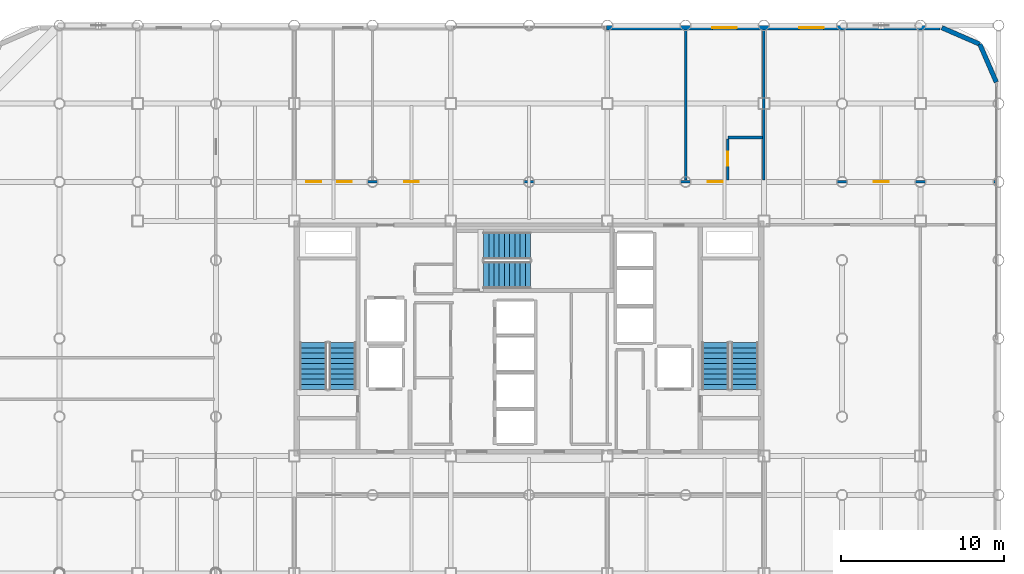
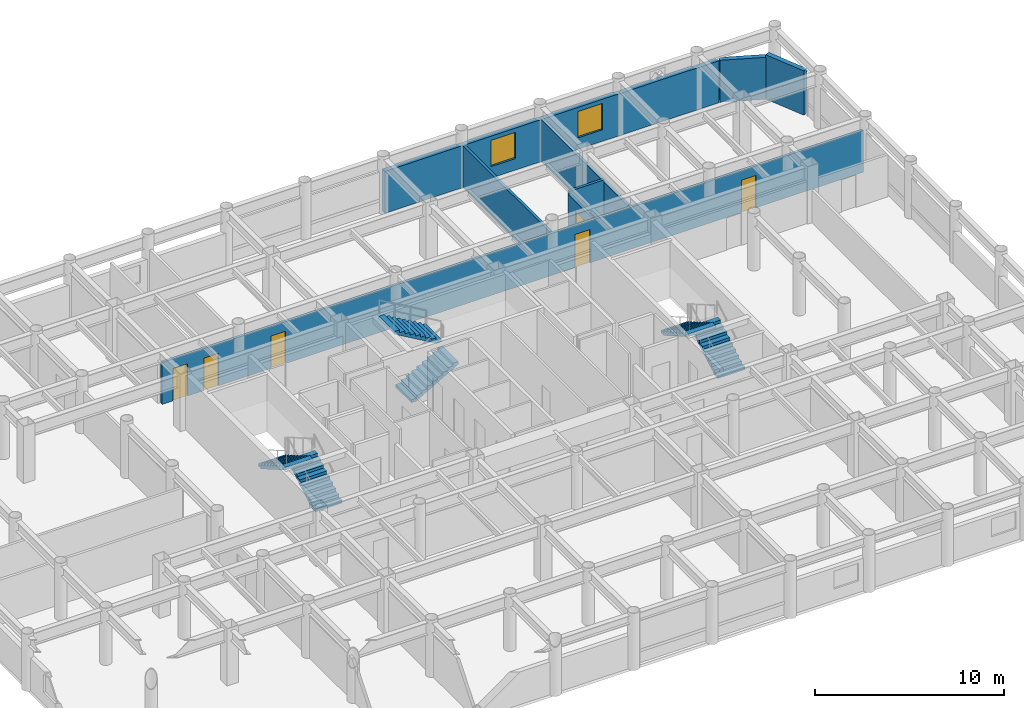
# One storey, part 18 of 19: 8 walls, 6 doors, 6 stair flights, 2 windows, 8 openings, 3 elements without a shape of their own.
"""IFC4 building model written with IfcOpenShell, lengths in metres."""

from ifc_helpers import new_model, si_unit, direction, frame, frame_2d, origin, place, context, subcontext, project, spatial, polyline, rectangle, outline, extrude, material, layer, layer_set, type_object, element, fill, aggregate, save


model = new_model("IFC4")

# Units and contexts
model_context = context("Model", 3, precision=1e-05, world=origin(), true_north=direction((0.0, 1.0)))
body_context = subcontext(model_context, "Body", "Model", "MODEL_VIEW")
ifc_project = project(units=[si_unit("LENGTHUNIT", "METRE"), si_unit("AREAUNIT", "SQUARE_METRE"), si_unit("VOLUMEUNIT", "CUBIC_METRE"), si_unit("PLANEANGLEUNIT", "RADIAN"), si_unit("MASSUNIT", "GRAM", prefix="KILO")], contexts=[model_context])

# Site, building, storey
site_placement = place(None, origin())
site = spatial("IfcSite", under=ifc_project, at=site_placement, CompositionType="ELEMENT")
building_placement = place(site_placement, origin())
building = spatial("IfcBuilding", under=site, at=building_placement, Name="Kallvorn Hotel Tower", CompositionType="ELEMENT")
storey_placement = place(building_placement, frame((0.0, 0.0, 165.5)))
storey = spatial("IfcBuildingStorey", under=building, at=storey_placement, Name="L41", CompositionType="ELEMENT", Elevation=165.5)

# Wall, openings, doors
ifc_material_1 = material(Name="Fire-rated double-layer acoustic gypsum drywall EI 60")
ifc_layer_1 = layer(ifc_material_1, 0.159912109375)
ifc_layer_set_1 = layer_set([ifc_layer_1], Name="WL_DEMISE_160")
wall_type_1 = type_object("IfcWallType", Name="WL_DEMISE_160", PredefinedType="PARTITIONING", material=ifc_layer_set_1)
wall_1_placement = place(storey_placement, frame((-14.320068359375, 9.60009765625, 0.0), z_axis=(0.0, 0.0, 1.0), x_axis=(1.0, 0.0, 0.0)))
wall_1 = element("IfcWall", 1, at=wall_1_placement, inside=storey, type_object=wall_type_1, Name="L41 Suite 4101 Standard King Room Partition", PredefinedType="PARTITIONING", context=body_context, shape_type="SweptSolid", body=[
    extrude(rectangle(XDim=42.949951171875, YDim=0.159912109375, at=frame_2d((21.47509765625, 0.0))), origin(), (0.0, 0.0, 1.0), 2.719970703125),
])
opening_1_placement = place(wall_1_placement, frame((35.469970703125, 0.0, 0.0)))
opening_1 = element("IfcOpeningElement", 2, at=opening_1_placement, cuts=wall_1, Name="Opening SVD1", PredefinedType="OPENING", context=body_context, shape_type="SweptSolid", body=[
    extrude(rectangle(XDim=0.89990234375, YDim=2.10009765625, at=frame_2d((0.449951171875, 1.050048828125))), frame((0.0, 0.094970703125, 0.0), z_axis=(0.0, -1.0, 0.0), x_axis=(1.0, 0.0, 0.0)), (0.0, 0.0, 1.0), 0.18994140625),
])
opening_2_placement = place(wall_1_placement, frame((0.669921875, 0.0, 0.0)))
opening_2 = element("IfcOpeningElement", 3, at=opening_2_placement, cuts=wall_1, Name="Opening SVD1", PredefinedType="OPENING", context=body_context, shape_type="SweptSolid", body=[
    extrude(rectangle(XDim=0.89990234375, YDim=2.10009765625, at=frame_2d((0.449951171875, 1.050048828125))), frame((0.0, 0.094970703125, 0.0), z_axis=(0.0, -1.0, 0.0), x_axis=(1.0, 0.0, 0.0)), (0.0, 0.0, 1.0), 0.18994140625),
])
opening_3_placement = place(wall_1_placement, frame((2.56005859375, 0.0, 0.0)))
opening_3 = element("IfcOpeningElement", 4, at=opening_3_placement, cuts=wall_1, Name="Opening SVD1", PredefinedType="OPENING", context=body_context, shape_type="SweptSolid", body=[
    extrude(rectangle(XDim=0.89990234375, YDim=2.10009765625, at=frame_2d((0.449951171875, 1.050048828125))), frame((0.0, 0.094970703125, 0.0), z_axis=(0.0, -1.0, 0.0), x_axis=(1.0, 0.0, 0.0)), (0.0, 0.0, 1.0), 0.18994140625),
])
opening_4_placement = place(wall_1_placement, frame((6.669921875, 0.0, 0.0)))
opening_4 = element("IfcOpeningElement", 5, at=opening_4_placement, cuts=wall_1, Name="Opening SVD1", PredefinedType="OPENING", context=body_context, shape_type="SweptSolid", body=[
    extrude(rectangle(XDim=0.89990234375, YDim=2.10009765625, at=frame_2d((0.449951171875, 1.050048828125))), frame((0.0, 0.094970703125, 0.0), z_axis=(0.0, -1.0, 0.0), x_axis=(1.0, 0.0, 0.0)), (0.0, 0.0, 1.0), 0.18994140625),
])
opening_5_placement = place(wall_1_placement, frame((25.2900390625, 0.0, 0.0)))
opening_5 = element("IfcOpeningElement", 6, at=opening_5_placement, cuts=wall_1, Name="Opening GD1", PredefinedType="OPENING", context=body_context, shape_type="SweptSolid", body=[
    extrude(rectangle(XDim=0.919921875, YDim=2.14990234375, at=frame_2d((0.4599609375, 1.074951171875))), frame((0.0, 0.094970703125, 0.0), z_axis=(0.0, -1.0, 0.0), x_axis=(1.0, 0.0, 0.0)), (0.0, 0.0, 1.0), 0.18994140625),
])
ifc_material_2 = material(Name="Solid-core walnut veneer fire-rated timber door leaf", Category="wood")
door_type_1 = type_object("IfcDoorType", Name="DR_GUEST_920x2150", OperationType="NOTDEFINED", PredefinedType="DOOR", material=ifc_material_2)
door_1_placement = place(opening_5_placement, origin())
door_1 = element("IfcDoor", 7, at=door_1_placement, inside=storey, type_object=door_type_1, Name="L41 Suite 4101 Standard King Room Door", OperationType="SINGLE_SWING_LEFT", OverallHeight=2.14990234375, OverallWidth=0.919921875, PredefinedType="DOOR", context=body_context, shape_type="SweptSolid", body=[
    extrude(rectangle(XDim=0.919921875, YDim=2.14990234375, at=frame_2d((0.4599609375, 1.074951171875))), frame((0.0, 0.02490234375, 0.0), z_axis=(0.0, -1.0, 0.0), x_axis=(1.0, 0.0, 0.0)), (0.0, 0.0, 1.0), 0.050048828125),
])
fill(opening_5, door_1)
ifc_material_3 = material(Name="Galvanised painted steel fire-rated door assembly", Category="steel")
door_type_2 = type_object("IfcDoorType", Name="DR_SERV_900x2100", OperationType="NOTDEFINED", PredefinedType="DOOR", material=ifc_material_3)
door_2_placement = place(opening_1_placement, origin())
door_2 = element("IfcDoor", 8, at=door_2_placement, inside=storey, type_object=door_type_2, Name="L41 L41 North-East Monserrate Banquet Hall Door", OperationType="SINGLE_SWING_RIGHT", OverallHeight=2.10009765625, OverallWidth=0.89990234375, PredefinedType="DOOR", context=body_context, shape_type="SweptSolid", body=[
    extrude(rectangle(XDim=0.89990234375, YDim=2.10009765625, at=frame_2d((0.449951171875, 1.050048828125))), frame((0.0, 0.02490234375, 0.0), z_axis=(0.0, -1.0, 0.0), x_axis=(1.0, 0.0, 0.0)), (0.0, 0.0, 1.0), 0.050048828125),
])
fill(opening_1, door_2)
door_3_placement = place(opening_2_placement, origin())
door_3 = element("IfcDoor", 9, at=door_3_placement, inside=storey, type_object=door_type_2, Name="L41 Housekeeping and Linen Room Door", OperationType="SINGLE_SWING_LEFT", OverallHeight=2.10009765625, OverallWidth=0.89990234375, PredefinedType="DOOR", context=body_context, shape_type="SweptSolid", body=[
    extrude(rectangle(XDim=0.89990234375, YDim=2.10009765625, at=frame_2d((0.449951171875, 1.050048828125))), frame((0.0, 0.02490234375, 0.0), z_axis=(0.0, -1.0, 0.0), x_axis=(1.0, 0.0, 0.0)), (0.0, 0.0, 1.0), 0.050048828125),
])
fill(opening_2, door_3)
door_4_placement = place(opening_3_placement, origin())
door_4 = element("IfcDoor", 10, at=door_4_placement, inside=storey, type_object=door_type_2, Name="L41 Guest Tea and Refreshment Bar Door", OperationType="SINGLE_SWING_RIGHT", OverallHeight=2.10009765625, OverallWidth=0.89990234375, PredefinedType="DOOR", context=body_context, shape_type="SweptSolid", body=[
    extrude(rectangle(XDim=0.89990234375, YDim=2.10009765625, at=frame_2d((0.449951171875, 1.050048828125))), frame((0.0, 0.02490234375, 0.0), z_axis=(0.0, -1.0, 0.0), x_axis=(1.0, 0.0, 0.0)), (0.0, 0.0, 1.0), 0.050048828125),
])
fill(opening_3, door_4)
door_5_placement = place(opening_4_placement, origin())
door_5 = element("IfcDoor", 11, at=door_5_placement, inside=storey, type_object=door_type_2, Name="L41 L41 Altitude Wellness Fitness Gymnasium 2 Door", OperationType="SINGLE_SWING_RIGHT", OverallHeight=2.10009765625, OverallWidth=0.89990234375, PredefinedType="DOOR", context=body_context, shape_type="SweptSolid", body=[
    extrude(rectangle(XDim=0.89990234375, YDim=2.10009765625, at=frame_2d((0.449951171875, 1.050048828125))), frame((0.0, 0.02490234375, 0.0), z_axis=(0.0, -1.0, 0.0), x_axis=(1.0, 0.0, 0.0)), (0.0, 0.0, 1.0), 0.050048828125),
])
fill(opening_4, door_5)

# Walls
wall_2_placement = place(storey_placement, frame((12.18994140625, 12.320068359375, 0.0), z_axis=(0.0, 0.0, 1.0), x_axis=(1.0, 0.0, 0.0)))
element("IfcWall", 12, at=wall_2_placement, inside=storey, type_object=wall_type_1, Name="L41 Suite 4101 Standard King Room Partition", PredefinedType="PARTITIONING", context=body_context, shape_type="SweptSolid", body=[
    extrude(rectangle(XDim=2.130126953125, YDim=0.159912109375, at=frame_2d((1.06494140625, 0.0))), origin(), (0.0, 0.0, 1.0), 2.8701171875),
])
wall_3_placement = place(storey_placement, frame((9.60009765625, 9.719970703125, 0.0), z_axis=(0.0, 0.0, 1.0), x_axis=(0.0, 1.0, 0.0)))
element("IfcWall", 13, at=wall_3_placement, inside=storey, type_object=wall_type_1, Name="L41 Suite 4101 Standard King Room Partition", PredefinedType="PARTITIONING", context=body_context, shape_type="SweptSolid", body=[
    extrude(rectangle(XDim=9.18994140625, YDim=0.159912109375, at=frame_2d((4.594970703125, 0.0))), origin(), (0.0, 0.0, 1.0), 2.719970703125),
])

# Wall, opening, door
wall_4_placement = place(storey_placement, frame((12.18994140625, 9.719970703125, 0.0), z_axis=(0.0, 0.0, 1.0), x_axis=(0.0, 1.0, 0.0)))
wall_4 = element("IfcWall", 14, at=wall_4_placement, inside=storey, type_object=wall_type_1, Name="L41 Suite 4101 Standard King Room Partition", PredefinedType="PARTITIONING", context=body_context, shape_type="SweptSolid", body=[
    extrude(rectangle(XDim=2.51513671875, YDim=0.159912109375, at=frame_2d((1.257568359375, 0.0))), origin(), (0.0, 0.0, 1.0), 2.719970703125),
])
opening_6_placement = place(wall_4_placement, frame((0.8701171875, 0.0, 0.0)))
opening_6 = element("IfcOpeningElement", 15, at=opening_6_placement, cuts=wall_4, Name="Opening BD-I", PredefinedType="OPENING", context=body_context, shape_type="SweptSolid", body=[
    extrude(rectangle(XDim=0.860107421875, YDim=2.10009765625, at=frame_2d((0.43017578125, 1.050048828125))), frame((0.0, 0.094970703125, 0.0), z_axis=(0.0, -1.0, 0.0), x_axis=(1.0, 0.0, 0.0)), (0.0, 0.0, 1.0), 0.18994140625),
])
ifc_material_4 = material(Name="Solid-core walnut veneer fire-rated timber door leaf", Category="wood")
door_type_3 = type_object("IfcDoorType", Name="DR_BATH_860x2100", OperationType="NOTDEFINED", PredefinedType="DOOR", material=ifc_material_4)
door_6_placement = place(opening_6_placement, origin())
door_6 = element("IfcDoor", 16, at=door_6_placement, inside=storey, type_object=door_type_3, Name="L41 Suite 4101 En-Suite Bathroom Door", OperationType="SINGLE_SWING_LEFT", OverallHeight=2.10009765625, OverallWidth=0.860107421875, PredefinedType="DOOR", context=body_context, shape_type="SweptSolid", body=[
    extrude(rectangle(XDim=0.860107421875, YDim=2.10009765625, at=frame_2d((0.43017578125, 1.050048828125))), frame((0.0, 0.02490234375, 0.0), z_axis=(0.0, -1.0, 0.0), x_axis=(1.0, 0.0, 0.0)), (0.0, 0.0, 1.0), 0.050048828125),
])
fill(opening_6, door_6)

# Walls
wall_5_placement = place(storey_placement, frame((14.39990234375, 9.719970703125, 0.0), z_axis=(0.0, 0.0, 1.0), x_axis=(0.0, 1.0, 0.0)))
element("IfcWall", 17, at=wall_5_placement, inside=storey, type_object=wall_type_1, Name="L41 Suite 4101 Standard King Room Partition", PredefinedType="PARTITIONING", context=body_context, shape_type="SweptSolid", body=[
    extrude(rectangle(XDim=9.18994140625, YDim=0.159912109375, at=frame_2d((4.594970703125, 0.0))), origin(), (0.0, 0.0, 1.0), 2.719970703125),
])
ifc_material_5 = material(Name="Precast basalt-clad insulated concrete wall C40/50", Category="masonry")
ifc_layer_2 = layer(ifc_material_5, 0.280029296875)
ifc_layer_set_2 = layer_set([ifc_layer_2], Name="WL_EXT_LOGGIA_280")
wall_type_2 = type_object("IfcWallType", Name="WL_EXT_LOGGIA_280", PredefinedType="SOLIDWALL", material=ifc_layer_set_2)
wall_6_placement = place(storey_placement, frame((28.657958984375, 15.720703125, 0.0), z_axis=(0.0, 0.0, 1.0), x_axis=(-0.398792985289, 0.917040977756, 0.0)))
element("IfcWall", 18, at=wall_6_placement, inside=storey, type_object=wall_type_2, Name="L41 Rounded Corner Exterior Wall NE1", PredefinedType="SOLIDWALL", context=body_context, shape_type="SweptSolid", body=[
    extrude(rectangle(XDim=2.536376953125, YDim=0.280029296875, at=frame_2d((1.26806640625, 0.0))), origin(), (0.0, 0.0, 1.0), 2.8701171875),
])
wall_7_placement = place(storey_placement, frame((27.646484375, 18.046630859375, 0.0), z_axis=(0.0, 0.0, 1.0), x_axis=(-0.917060872934, 0.398747232384, 0.0)))
element("IfcWall", 19, at=wall_7_placement, inside=storey, type_object=wall_type_2, Name="L41 Rounded Corner Exterior Wall NE2", PredefinedType="SOLIDWALL", context=body_context, shape_type="SweptSolid", body=[
    extrude(rectangle(XDim=2.5361328125, YDim=0.280029296875, at=frame_2d((1.26806640625, 0.0))), origin(), (0.0, 0.0, 1.0), 2.719970703125),
])

# Wall, openings, windows
wall_8_placement = place(storey_placement, frame((4.75, 19.06005859375, 0.0), z_axis=(0.0, 0.0, 1.0), x_axis=(1.0, 0.0, 0.0)))
wall_8 = element("IfcWall", 20, at=wall_8_placement, inside=storey, type_object=wall_type_2, Name="L41 Exterior Envelope Wall EW-L41-NE", PredefinedType="SOLIDWALL", context=body_context, shape_type="SweptSolid", body=[
    extrude(rectangle(XDim=20.449951171875, YDim=0.280029296875, at=frame_2d((10.22509765625, 0.0))), origin(), (0.0, 0.0, 1.0), 2.719970703125),
])
opening_7_placement = place(wall_8_placement, frame((11.81689453125, 0.0, 0.75)))
opening_7 = element("IfcOpeningElement", 21, at=opening_7_placement, cuts=wall_8, Name="Opening W05", PredefinedType="OPENING", context=body_context, shape_type="SweptSolid", body=[
    extrude(rectangle(XDim=1.5, YDim=1.699951171875, at=frame_2d((0.75, 0.85009765625))), frame((0.0, 0.155029296875, 0.0), z_axis=(0.0, -1.0, 0.0), x_axis=(1.0, 0.0, 0.0)), (0.0, 0.0, 1.0), 0.31005859375),
])
opening_8_placement = place(wall_8_placement, frame((6.5, 0.0, 0.75)))
opening_8 = element("IfcOpeningElement", 22, at=opening_8_placement, cuts=wall_8, Name="Opening W05", PredefinedType="OPENING", context=body_context, shape_type="SweptSolid", body=[
    extrude(rectangle(XDim=1.5, YDim=1.699951171875, at=frame_2d((0.75, 0.85009765625))), frame((0.0, 0.155029296875, 0.0), z_axis=(0.0, -1.0, 0.0), x_axis=(1.0, 0.0, 0.0)), (0.0, 0.0, 1.0), 0.31005859375),
])
ifc_material_6 = material(Name="Double-glazed low-e solar-control dark glass", Category="glass")
window_type = type_object("IfcWindowType", Name="WN_HTL_1500x1700", PartitioningType="SINGLE_PANEL", PredefinedType="WINDOW", material=ifc_material_6)
window_1_placement = place(opening_7_placement, origin())
window_1 = element("IfcWindow", 23, at=window_1_placement, inside=storey, type_object=window_type, Name="L41 Guestroom Exterior Window 04", OverallHeight=1.699951171875, OverallWidth=1.5, PartitioningType="SINGLE_PANEL", PredefinedType="WINDOW", context=body_context, shape_type="SweptSolid", body=[
    extrude(rectangle(XDim=1.5, YDim=1.699951171875, at=frame_2d((0.75, 0.85009765625))), frame((0.0, 0.030029296875, 0.0), z_axis=(0.0, -1.0, 0.0), x_axis=(1.0, 0.0, 0.0)), (0.0, 0.0, 1.0), 0.06005859375),
])
fill(opening_7, window_1)
window_2_placement = place(opening_8_placement, origin())
window_2 = element("IfcWindow", 24, at=window_2_placement, inside=storey, type_object=window_type, Name="L41 Guestroom Exterior Window 08", OverallHeight=1.699951171875, OverallWidth=1.5, PartitioningType="SINGLE_PANEL", PredefinedType="WINDOW", context=body_context, shape_type="SweptSolid", body=[
    extrude(rectangle(XDim=1.5, YDim=1.699951171875, at=frame_2d((0.75, 0.85009765625))), frame((0.0, 0.030029296875, 0.0), z_axis=(0.0, -1.0, 0.0), x_axis=(1.0, 0.0, 0.0)), (0.0, 0.0, 1.0), 0.06005859375),
])
fill(opening_8, window_2)

# Stair, stair flights
ifc_material_7 = material(Name="Precast concrete C40/50", Category="concrete")
stair_type = type_object("IfcStairType", Name="STR_CORE_DOGLEG", PredefinedType="HALF_TURN_STAIR", material=ifc_material_7)
stair_1_placement = place(storey_placement, origin())
stair_1 = element("IfcStair", 25, at=stair_1_placement, inside=storey, type_object=stair_type, Name="L41 Exit stair ST1", PredefinedType="HALF_TURN_STAIR")
ifc_material_8 = material(Name="Precast concrete C40/50", Category="concrete")
stair_flight_type = type_object("IfcStairFlightType", Name="FLT_CORE_1660", PredefinedType="STRAIGHT", material=ifc_material_8)
stair_flight_1_placement = place(storey_placement, frame((-11.429931640625, -3.139892578125, 0.0), z_axis=(0.0, 0.0, 1.0), x_axis=(0.0, 1.0, 0.0)))
stair_flight_1 = element("IfcStairFlight", 26, at=stair_flight_1_placement, type_object=stair_flight_type, Name="ST1 flight 1", NumberOfRisers=10, NumberOfTreads=9, PredefinedType="STRAIGHT", RiserHeight=0.185, TreadLength=0.32, context=body_context, shape_type="SweptSolid", body=[
    extrude(outline(polyline([(0.0, 0.0), (0.0, 0.18505859375), (0.320068359375, 0.18505859375), (0.320068359375, 0.3701171875), (0.639892578125, 0.3701171875), (0.639892578125, 0.554931640625), (0.9599609375, 0.554931640625), (0.9599609375, 0.739990234375), (1.280029296875, 0.739990234375), (1.280029296875, 0.925048828125), (1.60009765625, 0.925048828125), (1.60009765625, 1.110107421875), (1.919921875, 1.110107421875), (1.919921875, 1.294921875), (2.239990234375, 1.294921875), (2.239990234375, 1.47998046875), (2.56005859375, 1.47998046875), (2.56005859375, 1.6650390625), (2.8798828125, 1.6650390625), (2.8798828125, 1.85009765625), (2.8798828125, 1.491943359375), (0.299560546875, 0.0), (0.0, 0.0)])), frame((0.0, 0.830078125, 0.0), z_axis=(0.0, -1.0, 0.0), x_axis=(1.0, 0.0, 0.0)), (0.0, 0.0, 1.0), 1.659912109375),
])
stair_flight_2_placement = place(storey_placement, frame((-13.22998046875, -0.260009765625, 1.85009765625), z_axis=(0.0, 0.0, 1.0), x_axis=(0.0, -1.0, 0.0)))
stair_flight_2 = element("IfcStairFlight", 27, at=stair_flight_2_placement, type_object=stair_flight_type, Name="ST1 flight 2", NumberOfRisers=10, NumberOfTreads=9, PredefinedType="STRAIGHT", RiserHeight=0.185, TreadLength=0.32, context=body_context, shape_type="SweptSolid", body=[
    extrude(outline(polyline([(0.0, 0.0), (0.0, 0.18505859375), (0.320068359375, 0.18505859375), (0.320068359375, 0.3701171875), (0.639892578125, 0.3701171875), (0.639892578125, 0.554931640625), (0.9599609375, 0.554931640625), (0.9599609375, 0.739990234375), (1.280029296875, 0.739990234375), (1.280029296875, 0.925048828125), (1.60009765625, 0.925048828125), (1.60009765625, 1.110107421875), (1.919921875, 1.110107421875), (1.919921875, 1.294921875), (2.239990234375, 1.294921875), (2.239990234375, 1.47998046875), (2.56005859375, 1.47998046875), (2.56005859375, 1.6650390625), (2.8798828125, 1.6650390625), (2.8798828125, 1.85009765625), (2.8798828125, 1.491943359375), (0.299560546875, 0.0), (0.0, 0.0)])), frame((0.0, 0.830078125, 0.0), z_axis=(0.0, -1.0, 0.0), x_axis=(1.0, 0.0, 0.0)), (0.0, 0.0, 1.0), 1.659912109375),
])
aggregate(stair_1, [stair_flight_1, stair_flight_2])

stair_2_placement = place(storey_placement, origin())
stair_2 = element("IfcStair", 28, at=stair_2_placement, inside=storey, type_object=stair_type, Name="L41 Exit stair ST2", PredefinedType="HALF_TURN_STAIR")
stair_flight_3_placement = place(storey_placement, frame((13.22998046875, -3.139892578125, 0.0), z_axis=(0.0, 0.0, 1.0), x_axis=(0.0, 1.0, 0.0)))
stair_flight_3 = element("IfcStairFlight", 29, at=stair_flight_3_placement, type_object=stair_flight_type, Name="ST2 flight 1", NumberOfRisers=10, NumberOfTreads=9, PredefinedType="STRAIGHT", RiserHeight=0.185, TreadLength=0.32, context=body_context, shape_type="SweptSolid", body=[
    extrude(outline(polyline([(0.0, 0.0), (0.0, 0.18505859375), (0.320068359375, 0.18505859375), (0.320068359375, 0.3701171875), (0.639892578125, 0.3701171875), (0.639892578125, 0.554931640625), (0.9599609375, 0.554931640625), (0.9599609375, 0.739990234375), (1.280029296875, 0.739990234375), (1.280029296875, 0.925048828125), (1.60009765625, 0.925048828125), (1.60009765625, 1.110107421875), (1.919921875, 1.110107421875), (1.919921875, 1.294921875), (2.239990234375, 1.294921875), (2.239990234375, 1.47998046875), (2.56005859375, 1.47998046875), (2.56005859375, 1.6650390625), (2.8798828125, 1.6650390625), (2.8798828125, 1.85009765625), (2.8798828125, 1.491943359375), (0.299560546875, 0.0), (0.0, 0.0)])), frame((0.0, 0.830078125, 0.0), z_axis=(0.0, -1.0, 0.0), x_axis=(1.0, 0.0, 0.0)), (0.0, 0.0, 1.0), 1.659912109375),
])
stair_flight_4_placement = place(storey_placement, frame((11.429931640625, -0.260009765625, 1.85009765625), z_axis=(0.0, 0.0, 1.0), x_axis=(0.0, -1.0, 0.0)))
stair_flight_4 = element("IfcStairFlight", 30, at=stair_flight_4_placement, type_object=stair_flight_type, Name="ST2 flight 2", NumberOfRisers=10, NumberOfTreads=9, PredefinedType="STRAIGHT", RiserHeight=0.185, TreadLength=0.32, context=body_context, shape_type="SweptSolid", body=[
    extrude(outline(polyline([(0.0, 0.0), (0.0, 0.18505859375), (0.320068359375, 0.18505859375), (0.320068359375, 0.3701171875), (0.639892578125, 0.3701171875), (0.639892578125, 0.554931640625), (0.9599609375, 0.554931640625), (0.9599609375, 0.739990234375), (1.280029296875, 0.739990234375), (1.280029296875, 0.925048828125), (1.60009765625, 0.925048828125), (1.60009765625, 1.110107421875), (1.919921875, 1.110107421875), (1.919921875, 1.294921875), (2.239990234375, 1.294921875), (2.239990234375, 1.47998046875), (2.56005859375, 1.47998046875), (2.56005859375, 1.6650390625), (2.8798828125, 1.6650390625), (2.8798828125, 1.85009765625), (2.8798828125, 1.491943359375), (0.299560546875, 0.0), (0.0, 0.0)])), frame((0.0, 0.830078125, 0.0), z_axis=(0.0, -1.0, 0.0), x_axis=(1.0, 0.0, 0.0)), (0.0, 0.0, 1.0), 1.659912109375),
])
aggregate(stair_2, [stair_flight_3, stair_flight_4])

stair_3_placement = place(storey_placement, origin())
stair_3 = element("IfcStair", 31, at=stair_3_placement, inside=storey, type_object=stair_type, Name="L41 Exit stair ST3", PredefinedType="HALF_TURN_STAIR")
stair_flight_5_placement = place(storey_placement, frame((-2.7900390625, 3.8798828125, 0.0), z_axis=(0.0, 0.0, 1.0), x_axis=(1.0, 0.0, 0.0)))
stair_flight_5 = element("IfcStairFlight", 32, at=stair_flight_5_placement, type_object=stair_flight_type, Name="ST3 flight 1", NumberOfRisers=10, NumberOfTreads=9, PredefinedType="STRAIGHT", RiserHeight=0.185, TreadLength=0.32, context=body_context, shape_type="SweptSolid", body=[
    extrude(outline(polyline([(0.0, 0.0), (0.0, 0.18505859375), (0.320068359375, 0.18505859375), (0.320068359375, 0.3701171875), (0.639892578125, 0.3701171875), (0.639892578125, 0.554931640625), (0.9599609375, 0.554931640625), (0.9599609375, 0.739990234375), (1.280029296875, 0.739990234375), (1.280029296875, 0.925048828125), (1.60009765625, 0.925048828125), (1.60009765625, 1.110107421875), (1.919921875, 1.110107421875), (1.919921875, 1.294921875), (2.239990234375, 1.294921875), (2.239990234375, 1.47998046875), (2.56005859375, 1.47998046875), (2.56005859375, 1.6650390625), (2.8798828125, 1.6650390625), (2.8798828125, 1.85009765625), (2.8798828125, 1.491943359375), (0.299560546875, 0.0), (0.0, 0.0)])), frame((0.0, 0.830078125, 0.0), z_axis=(0.0, -1.0, 0.0), x_axis=(1.0, 0.0, 0.0)), (0.0, 0.0, 1.0), 1.659912109375),
])
stair_flight_6_placement = place(storey_placement, frame((0.090087890625, 5.679931640625, 1.85009765625), z_axis=(0.0, 0.0, 1.0), x_axis=(-1.0, 0.0, 0.0)))
stair_flight_6 = element("IfcStairFlight", 33, at=stair_flight_6_placement, type_object=stair_flight_type, Name="ST3 flight 2", NumberOfRisers=10, NumberOfTreads=9, PredefinedType="STRAIGHT", RiserHeight=0.185, TreadLength=0.32, context=body_context, shape_type="SweptSolid", body=[
    extrude(outline(polyline([(0.0, 0.0), (0.0, 0.18505859375), (0.320068359375, 0.18505859375), (0.320068359375, 0.3701171875), (0.639892578125, 0.3701171875), (0.639892578125, 0.554931640625), (0.9599609375, 0.554931640625), (0.9599609375, 0.739990234375), (1.280029296875, 0.739990234375), (1.280029296875, 0.925048828125), (1.60009765625, 0.925048828125), (1.60009765625, 1.110107421875), (1.919921875, 1.110107421875), (1.919921875, 1.294921875), (2.239990234375, 1.294921875), (2.239990234375, 1.47998046875), (2.56005859375, 1.47998046875), (2.56005859375, 1.6650390625), (2.8798828125, 1.6650390625), (2.8798828125, 1.85009765625), (2.8798828125, 1.491943359375), (0.299560546875, 0.0), (0.0, 0.0)])), frame((0.0, 0.830078125, 0.0), z_axis=(0.0, -1.0, 0.0), x_axis=(1.0, 0.0, 0.0)), (0.0, 0.0, 1.0), 1.659912109375),
])
aggregate(stair_3, [stair_flight_5, stair_flight_6])

save(model, "model.ifc")
